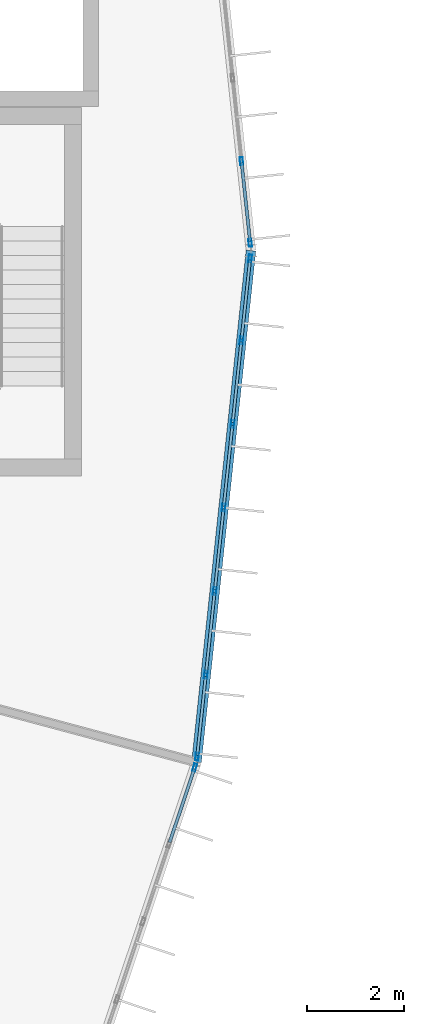
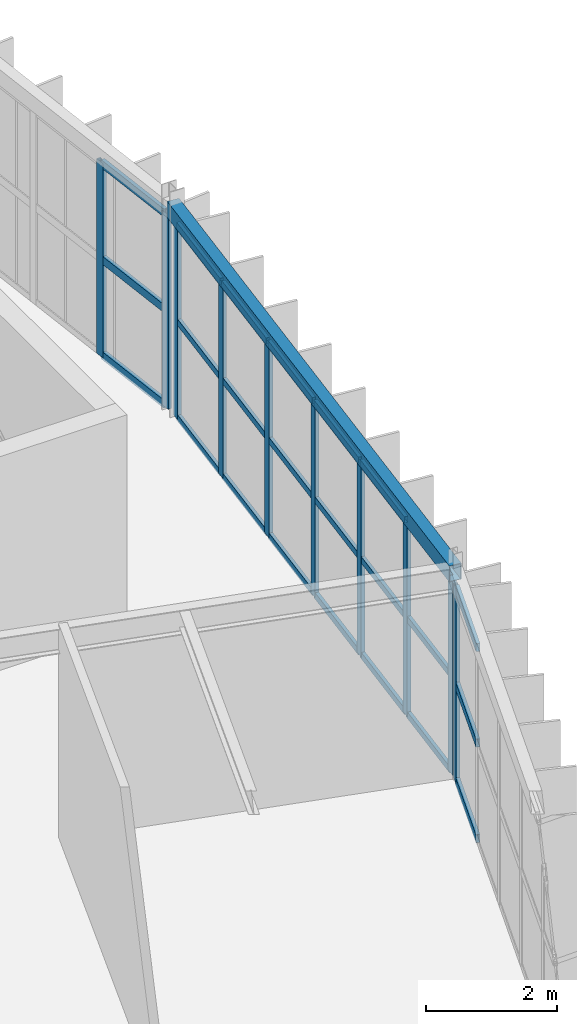
# One storey, part 63 of 134: 34 members, 1 beam, 3 elements without a shape of their own.
"""IFC4 building model written with IfcOpenShell, lengths in metres."""

from ifc_helpers import new_model, si_unit, direction, frame, origin, origin_2d, place, context, subcontext, project, spatial, hollow_rectangle, extrude, material, material_profile, profile_set, type_object, element, aggregate, save


model = new_model("IFC4")

# Units and contexts
model_context = context("Model", 3, precision=1e-05, world=origin(), true_north=direction((0.0, 1.0)))
body_context = subcontext(model_context, "Body", "Model", "MODEL_VIEW")
ifc_project = project(units=[si_unit("LENGTHUNIT", "METRE"), si_unit("AREAUNIT", "SQUARE_METRE"), si_unit("VOLUMEUNIT", "CUBIC_METRE"), si_unit("PLANEANGLEUNIT", "RADIAN"), si_unit("MASSUNIT", "GRAM", prefix="KILO")], contexts=[model_context])

# Site, building, storey
site_placement = place(None, origin())
site = spatial("IfcSite", under=ifc_project, at=site_placement, CompositionType="ELEMENT")
building_placement = place(site_placement, origin())
building = spatial("IfcBuilding", under=site, at=building_placement, Name="Karori Crest Natural Sciences Institute", CompositionType="ELEMENT")
storey_placement = place(building_placement, frame((0.0, 0.0, 21.699951171875)))
storey = spatial("IfcBuildingStorey", under=building, at=storey_placement, Name="L05", CompositionType="ELEMENT", Elevation=21.699951171875)

# Beam
ifc_material_1 = material(Name="Hollow structural steel AS/NZS 1163 Grade C350", Category="steel")
ifc_material_profile_1 = material_profile(ifc_material_1, hollow_rectangle(XDim=0.199951171875, YDim=0.300048828125, WallThickness=0.010009765625, at=origin_2d()), Name="RHS300x200x10")
ifc_profile_set_1 = profile_set([ifc_material_profile_1], Name="Hollow structural steel AS/NZS 1163 Grade C350")
beam_type = type_object("IfcBeamType", Name="BT-15", PredefinedType="SPANDREL", material=ifc_profile_set_1)
beam_placement = place(storey_placement, frame((98.275634765625, 39.340087890625, 3.7900390625), z_axis=(0.105868278464, 0.994380162521, 0.0), x_axis=(-0.994380162521, 0.105868278464, 0.0)))
element("IfcBeam", 1, at=beam_placement, inside=storey, type_object=beam_type, Name="Beam B-0616", PredefinedType="SPANDREL", context=body_context, shape_type="SweptSolid", body=[
    extrude(hollow_rectangle(XDim=0.199951171875, YDim=0.300048828125, WallThickness=0.010009765625, at=origin_2d()), origin(), (0.0, 0.0, 1.0), 10.619384765625),
])

# Curtain wall, members
ifc_material_2 = material(Name="Anodised architectural aluminium 6063-T6", Category="aluminium")
curtain_wall_type_1 = type_object("IfcCurtainWallType", Name="CWT-01", PredefinedType="NOTDEFINED", material=ifc_material_2)
curtain_wall_1_placement = place(storey_placement, origin())
curtain_wall_1 = element("IfcCurtainWall", 2, at=curtain_wall_1_placement, inside=storey, type_object=curtain_wall_type_1, Name="Curtain wall CW-0172", PredefinedType="NOTDEFINED")
ifc_material_profile_2 = material_profile(ifc_material_2, hollow_rectangle(XDim=0.06494140625, YDim=0.159912109375, WallThickness=0.00390625, at=origin_2d()), Name="CWM160x65x4")
ifc_profile_set_2 = profile_set([ifc_material_profile_2], Name="Anodised architectural aluminium 6063-T6")
member_type_1 = type_object("IfcMemberType", Name="CWM-01", PredefinedType="MULLION", material=ifc_profile_set_2)
member_1_placement = place(storey_placement, frame((99.203369140625, 51.745849609375, 0.0), z_axis=(0.0, 0.0, 1.0), x_axis=(0.994378435661, 0.105884496939, 0.0)))
member_1 = element("IfcMember", 3, at=member_1_placement, type_object=member_type_1, Name="CW-0172 mullion 6", PredefinedType="MULLION", context=body_context, shape_type="SweptSolid", body=[
    extrude(hollow_rectangle(XDim=0.06494140625, YDim=0.159912109375, WallThickness=0.00390625, at=origin_2d()), origin(), (0.0, 0.0, 1.0), 3.625),
])
member_2_placement = place(storey_placement, frame((99.383056640625, 50.060302734375, 0.0), z_axis=(0.0, 0.0, 1.0), x_axis=(0.994378435661, 0.105884496939, 0.0)))
member_2 = element("IfcMember", 4, at=member_2_placement, type_object=member_type_1, Name="CW-0172 mullion 7", PredefinedType="MULLION", context=body_context, shape_type="SweptSolid", body=[
    extrude(hollow_rectangle(XDim=0.06494140625, YDim=0.159912109375, WallThickness=0.00390625, at=origin_2d()), origin(), (0.0, 0.0, 1.0), 3.625),
])

# Curtain wall, member
curtain_wall_type_2 = type_object("IfcCurtainWallType", Name="CWT-03", PredefinedType="NOTDEFINED", material=ifc_material_2)
curtain_wall_2_placement = place(storey_placement, origin())
curtain_wall_2 = element("IfcCurtainWall", 5, at=curtain_wall_2_placement, inside=storey, type_object=curtain_wall_type_2, Name="Curtain wall CW-0205", PredefinedType="NOTDEFINED")
member_3_placement = place(storey_placement, frame((98.23876953125, 39.230224609375, 0.0), z_axis=(0.0, 0.0, 1.0), x_axis=(0.94819805026, -0.317679803392, 0.0)))
member_3 = element("IfcMember", 6, at=member_3_placement, type_object=member_type_1, Name="CW-0205 mullion 1", PredefinedType="MULLION", context=body_context, shape_type="SweptSolid", body=[
    extrude(hollow_rectangle(XDim=0.06494140625, YDim=0.159912109375, WallThickness=0.00390625, at=origin_2d()), origin(), (0.0, 0.0, 1.0), 3.625),
])

# Curtain wall, members
curtain_wall_type_3 = type_object("IfcCurtainWallType", Name="CWT-04", PredefinedType="NOTDEFINED", material=ifc_material_2)
curtain_wall_3_placement = place(storey_placement, origin())
curtain_wall_3 = element("IfcCurtainWall", 7, at=curtain_wall_3_placement, inside=storey, type_object=curtain_wall_type_3, Name="Curtain wall CW-0207", PredefinedType="NOTDEFINED")
member_4_placement = place(storey_placement, frame((99.383056640625, 49.73974609375, 0.0), z_axis=(0.0, 0.0, 1.0), x_axis=(0.994378309998, -0.105885677057, 0.0)))
member_4 = element("IfcMember", 8, at=member_4_placement, type_object=member_type_1, Name="CW-0207 mullion 1", PredefinedType="MULLION", context=body_context, shape_type="SweptSolid", body=[
    extrude(hollow_rectangle(XDim=0.06494140625, YDim=0.159912109375, WallThickness=0.00390625, at=origin_2d()), origin(), (0.0, 0.0, 1.0), 3.625),
])
member_5_placement = place(storey_placement, frame((99.20263671875, 48.046630859375, 0.0), z_axis=(0.0, 0.0, 1.0), x_axis=(0.994378309998, -0.105885677057, 0.0)))
member_5 = element("IfcMember", 9, at=member_5_placement, type_object=member_type_1, Name="CW-0207 mullion 2", PredefinedType="MULLION", context=body_context, shape_type="SweptSolid", body=[
    extrude(hollow_rectangle(XDim=0.06494140625, YDim=0.159912109375, WallThickness=0.00390625, at=origin_2d()), origin(), (0.0, 0.0, 1.0), 3.625),
])
member_6_placement = place(storey_placement, frame((99.01904296875, 46.321044921875, 0.0), z_axis=(0.0, 0.0, 1.0), x_axis=(0.994378309998, -0.105885677057, 0.0)))
member_6 = element("IfcMember", 10, at=member_6_placement, type_object=member_type_1, Name="CW-0207 mullion 3", PredefinedType="MULLION", context=body_context, shape_type="SweptSolid", body=[
    extrude(hollow_rectangle(XDim=0.06494140625, YDim=0.159912109375, WallThickness=0.00390625, at=origin_2d()), origin(), (0.0, 0.0, 1.0), 3.625),
])
member_7_placement = place(storey_placement, frame((98.835205078125, 44.595703125, 0.0), z_axis=(0.0, 0.0, 1.0), x_axis=(0.994378309998, -0.105885677057, 0.0)))
member_7 = element("IfcMember", 11, at=member_7_placement, type_object=member_type_1, Name="CW-0207 mullion 4", PredefinedType="MULLION", context=body_context, shape_type="SweptSolid", body=[
    extrude(hollow_rectangle(XDim=0.06494140625, YDim=0.159912109375, WallThickness=0.00390625, at=origin_2d()), origin(), (0.0, 0.0, 1.0), 3.625),
])
member_8_placement = place(storey_placement, frame((98.6513671875, 42.8701171875, 0.0), z_axis=(0.0, 0.0, 1.0), x_axis=(0.994378309998, -0.105885677057, 0.0)))
member_8 = element("IfcMember", 12, at=member_8_placement, type_object=member_type_1, Name="CW-0207 mullion 5", PredefinedType="MULLION", context=body_context, shape_type="SweptSolid", body=[
    extrude(hollow_rectangle(XDim=0.06494140625, YDim=0.159912109375, WallThickness=0.00390625, at=origin_2d()), origin(), (0.0, 0.0, 1.0), 3.625),
])
member_9_placement = place(storey_placement, frame((98.4677734375, 41.144775390625, 0.0), z_axis=(0.0, 0.0, 1.0), x_axis=(0.994378309998, -0.105885677057, 0.0)))
member_9 = element("IfcMember", 13, at=member_9_placement, type_object=member_type_1, Name="CW-0207 mullion 6", PredefinedType="MULLION", context=body_context, shape_type="SweptSolid", body=[
    extrude(hollow_rectangle(XDim=0.06494140625, YDim=0.159912109375, WallThickness=0.00390625, at=origin_2d()), origin(), (0.0, 0.0, 1.0), 3.625),
])
member_10_placement = place(storey_placement, frame((98.287353515625, 39.45166015625, 0.0), z_axis=(0.0, 0.0, 1.0), x_axis=(0.994378309998, -0.105885677057, 0.0)))
member_10 = element("IfcMember", 14, at=member_10_placement, type_object=member_type_1, Name="CW-0207 mullion 7", PredefinedType="MULLION", context=body_context, shape_type="SweptSolid", body=[
    extrude(hollow_rectangle(XDim=0.06494140625, YDim=0.159912109375, WallThickness=0.00390625, at=origin_2d()), origin(), (0.0, 0.0, 1.0), 3.625),
])
ifc_material_profile_3 = material_profile(ifc_material_2, hollow_rectangle(XDim=0.06005859375, YDim=0.1201171875, WallThickness=0.00390625, at=origin_2d()), Name="CWT120x60x4")
ifc_profile_set_3 = profile_set([ifc_material_profile_3], Name="Anodised architectural aluminium 6063-T6")
member_type_2 = type_object("IfcMemberType", Name="CWT-TR1", PredefinedType="USERDEFINED", material=ifc_profile_set_3)
member_11_placement = place(storey_placement, frame((99.379638671875, 49.707275390625, 0.030029296875), z_axis=(-0.105996192923, -0.994366535582, 0.0), x_axis=(0.994366535582, -0.105996192923, 0.0)))
member_11 = element("IfcMember", 15, at=member_11_placement, type_object=member_type_2, Name="CW-0207 transom 1.1", ObjectType="TRANSOM", PredefinedType="USERDEFINED", context=body_context, shape_type="SweptSolid", body=[
    extrude(hollow_rectangle(XDim=0.06005859375, YDim=0.1201171875, WallThickness=0.00390625, at=origin_2d()), origin(), (0.0, 0.0, 1.0), 1.6376953125),
])
member_12_placement = place(storey_placement, frame((99.379638671875, 49.707275390625, 1.8125), z_axis=(-0.105996192923, -0.994366535582, 0.0), x_axis=(0.994366535582, -0.105996192923, 0.0)))
member_12 = element("IfcMember", 16, at=member_12_placement, type_object=member_type_2, Name="CW-0207 transom 1.2", ObjectType="TRANSOM", PredefinedType="USERDEFINED", context=body_context, shape_type="SweptSolid", body=[
    extrude(hollow_rectangle(XDim=0.06005859375, YDim=0.1201171875, WallThickness=0.00390625, at=origin_2d()), origin(), (0.0, 0.0, 1.0), 1.6376953125),
])
member_13_placement = place(storey_placement, frame((99.379638671875, 49.707275390625, 3.594970703125), z_axis=(-0.105996192923, -0.994366535582, 0.0), x_axis=(0.994366535582, -0.105996192923, 0.0)))
member_13 = element("IfcMember", 17, at=member_13_placement, type_object=member_type_2, Name="CW-0207 transom 1.3", ObjectType="TRANSOM", PredefinedType="USERDEFINED", context=body_context, shape_type="SweptSolid", body=[
    extrude(hollow_rectangle(XDim=0.06005859375, YDim=0.1201171875, WallThickness=0.00390625, at=origin_2d()), origin(), (0.0, 0.0, 1.0), 1.6376953125),
])
member_14_placement = place(storey_placement, frame((99.19921875, 48.01416015625, 0.030029296875), z_axis=(-0.105841415473, -0.994383022165, 0.0), x_axis=(0.994383022165, -0.105841415473, 0.0)))
member_14 = element("IfcMember", 18, at=member_14_placement, type_object=member_type_2, Name="CW-0207 transom 2.1", ObjectType="TRANSOM", PredefinedType="USERDEFINED", context=body_context, shape_type="SweptSolid", body=[
    extrude(hollow_rectangle(XDim=0.06005859375, YDim=0.1201171875, WallThickness=0.00390625, at=origin_2d()), origin(), (0.0, 0.0, 1.0), 1.669921875),
])
member_15_placement = place(storey_placement, frame((99.19921875, 48.01416015625, 1.8125), z_axis=(-0.105841415473, -0.994383022165, 0.0), x_axis=(0.994383022165, -0.105841415473, 0.0)))
member_15 = element("IfcMember", 19, at=member_15_placement, type_object=member_type_2, Name="CW-0207 transom 2.2", ObjectType="TRANSOM", PredefinedType="USERDEFINED", context=body_context, shape_type="SweptSolid", body=[
    extrude(hollow_rectangle(XDim=0.06005859375, YDim=0.1201171875, WallThickness=0.00390625, at=origin_2d()), origin(), (0.0, 0.0, 1.0), 1.669921875),
])
member_16_placement = place(storey_placement, frame((99.19921875, 48.01416015625, 3.594970703125), z_axis=(-0.105841415473, -0.994383022165, 0.0), x_axis=(0.994383022165, -0.105841415473, 0.0)))
member_16 = element("IfcMember", 20, at=member_16_placement, type_object=member_type_2, Name="CW-0207 transom 2.3", ObjectType="TRANSOM", PredefinedType="USERDEFINED", context=body_context, shape_type="SweptSolid", body=[
    extrude(hollow_rectangle(XDim=0.06005859375, YDim=0.1201171875, WallThickness=0.00390625, at=origin_2d()), origin(), (0.0, 0.0, 1.0), 1.669921875),
])
member_17_placement = place(storey_placement, frame((99.015380859375, 46.288818359375, 0.030029296875), z_axis=(-0.105826031672, -0.994384659486, 0.0), x_axis=(0.994384659486, -0.105826031672, 0.0)))
member_17 = element("IfcMember", 21, at=member_17_placement, type_object=member_type_2, Name="CW-0207 transom 3.1", ObjectType="TRANSOM", PredefinedType="USERDEFINED", context=body_context, shape_type="SweptSolid", body=[
    extrude(hollow_rectangle(XDim=0.06005859375, YDim=0.1201171875, WallThickness=0.00390625, at=origin_2d()), origin(), (0.0, 0.0, 1.0), 1.670166015625),
])
member_18_placement = place(storey_placement, frame((99.015380859375, 46.288818359375, 1.8125), z_axis=(-0.105826031672, -0.994384659486, 0.0), x_axis=(0.994384659486, -0.105826031672, 0.0)))
member_18 = element("IfcMember", 22, at=member_18_placement, type_object=member_type_2, Name="CW-0207 transom 3.2", ObjectType="TRANSOM", PredefinedType="USERDEFINED", context=body_context, shape_type="SweptSolid", body=[
    extrude(hollow_rectangle(XDim=0.06005859375, YDim=0.1201171875, WallThickness=0.00390625, at=origin_2d()), origin(), (0.0, 0.0, 1.0), 1.670166015625),
])
member_19_placement = place(storey_placement, frame((99.015380859375, 46.288818359375, 3.594970703125), z_axis=(-0.105826031672, -0.994384659486, 0.0), x_axis=(0.994384659486, -0.105826031672, 0.0)))
member_19 = element("IfcMember", 23, at=member_19_placement, type_object=member_type_2, Name="CW-0207 transom 3.3", ObjectType="TRANSOM", PredefinedType="USERDEFINED", context=body_context, shape_type="SweptSolid", body=[
    extrude(hollow_rectangle(XDim=0.06005859375, YDim=0.1201171875, WallThickness=0.00390625, at=origin_2d()), origin(), (0.0, 0.0, 1.0), 1.670166015625),
])
member_20_placement = place(storey_placement, frame((98.831787109375, 44.563232421875, 0.030029296875), z_axis=(-0.105841415473, -0.994383022165, 0.0), x_axis=(0.994383022165, -0.105841415473, 0.0)))
member_20 = element("IfcMember", 24, at=member_20_placement, type_object=member_type_2, Name="CW-0207 transom 4.1", ObjectType="TRANSOM", PredefinedType="USERDEFINED", context=body_context, shape_type="SweptSolid", body=[
    extrude(hollow_rectangle(XDim=0.06005859375, YDim=0.1201171875, WallThickness=0.00390625, at=origin_2d()), origin(), (0.0, 0.0, 1.0), 1.669921875),
])
member_21_placement = place(storey_placement, frame((98.831787109375, 44.563232421875, 1.8125), z_axis=(-0.105841415473, -0.994383022165, 0.0), x_axis=(0.994383022165, -0.105841415473, 0.0)))
member_21 = element("IfcMember", 25, at=member_21_placement, type_object=member_type_2, Name="CW-0207 transom 4.2", ObjectType="TRANSOM", PredefinedType="USERDEFINED", context=body_context, shape_type="SweptSolid", body=[
    extrude(hollow_rectangle(XDim=0.06005859375, YDim=0.1201171875, WallThickness=0.00390625, at=origin_2d()), origin(), (0.0, 0.0, 1.0), 1.669921875),
])
member_22_placement = place(storey_placement, frame((98.831787109375, 44.563232421875, 3.594970703125), z_axis=(-0.105841415473, -0.994383022165, 0.0), x_axis=(0.994383022165, -0.105841415473, 0.0)))
member_22 = element("IfcMember", 26, at=member_22_placement, type_object=member_type_2, Name="CW-0207 transom 4.3", ObjectType="TRANSOM", PredefinedType="USERDEFINED", context=body_context, shape_type="SweptSolid", body=[
    extrude(hollow_rectangle(XDim=0.06005859375, YDim=0.1201171875, WallThickness=0.00390625, at=origin_2d()), origin(), (0.0, 0.0, 1.0), 1.669921875),
])
member_23_placement = place(storey_placement, frame((98.64794921875, 42.837890625, 0.030029296875), z_axis=(-0.105826031672, -0.994384659486, 0.0), x_axis=(0.994384659486, -0.105826031672, 0.0)))
member_23 = element("IfcMember", 27, at=member_23_placement, type_object=member_type_2, Name="CW-0207 transom 5.1", ObjectType="TRANSOM", PredefinedType="USERDEFINED", context=body_context, shape_type="SweptSolid", body=[
    extrude(hollow_rectangle(XDim=0.06005859375, YDim=0.1201171875, WallThickness=0.00390625, at=origin_2d()), origin(), (0.0, 0.0, 1.0), 1.670166015625),
])
member_24_placement = place(storey_placement, frame((98.64794921875, 42.837890625, 1.8125), z_axis=(-0.105826031672, -0.994384659486, 0.0), x_axis=(0.994384659486, -0.105826031672, 0.0)))
member_24 = element("IfcMember", 28, at=member_24_placement, type_object=member_type_2, Name="CW-0207 transom 5.2", ObjectType="TRANSOM", PredefinedType="USERDEFINED", context=body_context, shape_type="SweptSolid", body=[
    extrude(hollow_rectangle(XDim=0.06005859375, YDim=0.1201171875, WallThickness=0.00390625, at=origin_2d()), origin(), (0.0, 0.0, 1.0), 1.670166015625),
])
member_25_placement = place(storey_placement, frame((98.64794921875, 42.837890625, 3.594970703125), z_axis=(-0.105826031672, -0.994384659486, 0.0), x_axis=(0.994384659486, -0.105826031672, 0.0)))
member_25 = element("IfcMember", 29, at=member_25_placement, type_object=member_type_2, Name="CW-0207 transom 5.3", ObjectType="TRANSOM", PredefinedType="USERDEFINED", context=body_context, shape_type="SweptSolid", body=[
    extrude(hollow_rectangle(XDim=0.06005859375, YDim=0.1201171875, WallThickness=0.00390625, at=origin_2d()), origin(), (0.0, 0.0, 1.0), 1.670166015625),
])
member_26_placement = place(storey_placement, frame((98.46435546875, 41.112548828125, 0.030029296875), z_axis=(-0.1059804823, -0.994368210157, 0.0), x_axis=(0.994368210157, -0.1059804823, 0.0)))
member_26 = element("IfcMember", 30, at=member_26_placement, type_object=member_type_2, Name="CW-0207 transom 6.1", ObjectType="TRANSOM", PredefinedType="USERDEFINED", context=body_context, shape_type="SweptSolid", body=[
    extrude(hollow_rectangle(XDim=0.06005859375, YDim=0.1201171875, WallThickness=0.00390625, at=origin_2d()), origin(), (0.0, 0.0, 1.0), 1.637939453125),
])
member_27_placement = place(storey_placement, frame((98.46435546875, 41.112548828125, 1.8125), z_axis=(-0.1059804823, -0.994368210157, 0.0), x_axis=(0.994368210157, -0.1059804823, 0.0)))
member_27 = element("IfcMember", 31, at=member_27_placement, type_object=member_type_2, Name="CW-0207 transom 6.2", ObjectType="TRANSOM", PredefinedType="USERDEFINED", context=body_context, shape_type="SweptSolid", body=[
    extrude(hollow_rectangle(XDim=0.06005859375, YDim=0.1201171875, WallThickness=0.00390625, at=origin_2d()), origin(), (0.0, 0.0, 1.0), 1.637939453125),
])
member_28_placement = place(storey_placement, frame((98.46435546875, 41.112548828125, 3.594970703125), z_axis=(-0.1059804823, -0.994368210157, 0.0), x_axis=(0.994368210157, -0.1059804823, 0.0)))
member_28 = element("IfcMember", 32, at=member_28_placement, type_object=member_type_2, Name="CW-0207 transom 6.3", ObjectType="TRANSOM", PredefinedType="USERDEFINED", context=body_context, shape_type="SweptSolid", body=[
    extrude(hollow_rectangle(XDim=0.06005859375, YDim=0.1201171875, WallThickness=0.00390625, at=origin_2d()), origin(), (0.0, 0.0, 1.0), 1.637939453125),
])
aggregate(curtain_wall_3, [member_4, member_5, member_6, member_7, member_8, member_9, member_10, member_11, member_12, member_13, member_14, member_15, member_16, member_17, member_18, member_19, member_20, member_21, member_22, member_23, member_24, member_25, member_26, member_27, member_28])

# Member
ifc_material_profile_4 = material_profile(ifc_material_2, hollow_rectangle(XDim=0.06494140625, YDim=0.14990234375, WallThickness=0.00390625, at=origin_2d()), Name="CWT150x65x4")
ifc_profile_set_4 = profile_set([ifc_material_profile_4], Name="Anodised architectural aluminium 6063-T6")
member_type_3 = type_object("IfcMemberType", Name="CWT-TR2", PredefinedType="USERDEFINED", material=ifc_profile_set_4)
member_29_placement = place(storey_placement, frame((99.20703125, 51.71337890625, 0.032470703125), z_axis=(0.105893191658, -0.994377509782, 0.0), x_axis=(0.994377509782, 0.105893191658, 0.0)))
member_29 = element("IfcMember", 33, at=member_29_placement, type_object=member_type_3, Name="CW-0172 transom 6.1", ObjectType="TRANSOM", PredefinedType="USERDEFINED", context=body_context, shape_type="SweptSolid", body=[
    extrude(hollow_rectangle(XDim=0.06494140625, YDim=0.14990234375, WallThickness=0.00390625, at=origin_2d()), origin(), (0.0, 0.0, 1.0), 1.630126953125),
])

member_30_placement = place(storey_placement, frame((99.20703125, 51.71337890625, 1.8125), z_axis=(0.105893191658, -0.994377509782, 0.0), x_axis=(0.994377509782, 0.105893191658, 0.0)))
member_30 = element("IfcMember", 34, at=member_30_placement, type_object=member_type_3, Name="CW-0172 transom 6.2", ObjectType="TRANSOM", PredefinedType="USERDEFINED", context=body_context, shape_type="SweptSolid", body=[
    extrude(hollow_rectangle(XDim=0.06494140625, YDim=0.14990234375, WallThickness=0.00390625, at=origin_2d()), origin(), (0.0, 0.0, 1.0), 1.630126953125),
])

member_31_placement = place(storey_placement, frame((99.20703125, 51.71337890625, 3.592529296875), z_axis=(0.105893191658, -0.994377509782, 0.0), x_axis=(0.994377509782, 0.105893191658, 0.0)))
member_31 = element("IfcMember", 35, at=member_31_placement, type_object=member_type_3, Name="CW-0172 transom 6.3", ObjectType="TRANSOM", PredefinedType="USERDEFINED", context=body_context, shape_type="SweptSolid", body=[
    extrude(hollow_rectangle(XDim=0.06494140625, YDim=0.14990234375, WallThickness=0.00390625, at=origin_2d()), origin(), (0.0, 0.0, 1.0), 1.630126953125),
])

aggregate(curtain_wall_1, [member_1, member_2, member_29, member_30, member_31])

member_32_placement = place(storey_placement, frame((98.228515625, 39.199462890625, 0.032470703125), z_axis=(-0.317695793379, -0.9481926929, 0.0), x_axis=(0.9481926929, -0.317695793379, 0.0)))
member_32 = element("IfcMember", 36, at=member_32_placement, type_object=member_type_3, Name="CW-0205 transom 1.1", ObjectType="TRANSOM", PredefinedType="USERDEFINED", context=body_context, shape_type="SweptSolid", body=[
    extrude(hollow_rectangle(XDim=0.06494140625, YDim=0.14990234375, WallThickness=0.00390625, at=origin_2d()), origin(), (0.0, 0.0, 1.0), 1.59619140625),
])

member_33_placement = place(storey_placement, frame((98.228515625, 39.199462890625, 1.8125), z_axis=(-0.317695793379, -0.9481926929, 0.0), x_axis=(0.9481926929, -0.317695793379, 0.0)))
member_33 = element("IfcMember", 37, at=member_33_placement, type_object=member_type_3, Name="CW-0205 transom 1.2", ObjectType="TRANSOM", PredefinedType="USERDEFINED", context=body_context, shape_type="SweptSolid", body=[
    extrude(hollow_rectangle(XDim=0.06494140625, YDim=0.14990234375, WallThickness=0.00390625, at=origin_2d()), origin(), (0.0, 0.0, 1.0), 1.59619140625),
])

member_34_placement = place(storey_placement, frame((98.228515625, 39.199462890625, 3.592529296875), z_axis=(-0.317695793379, -0.9481926929, 0.0), x_axis=(0.9481926929, -0.317695793379, 0.0)))
member_34 = element("IfcMember", 38, at=member_34_placement, type_object=member_type_3, Name="CW-0205 transom 1.3", ObjectType="TRANSOM", PredefinedType="USERDEFINED", context=body_context, shape_type="SweptSolid", body=[
    extrude(hollow_rectangle(XDim=0.06494140625, YDim=0.14990234375, WallThickness=0.00390625, at=origin_2d()), origin(), (0.0, 0.0, 1.0), 1.59619140625),
])

aggregate(curtain_wall_2, [member_3, member_32, member_33, member_34])

save(model, "model.ifc")
